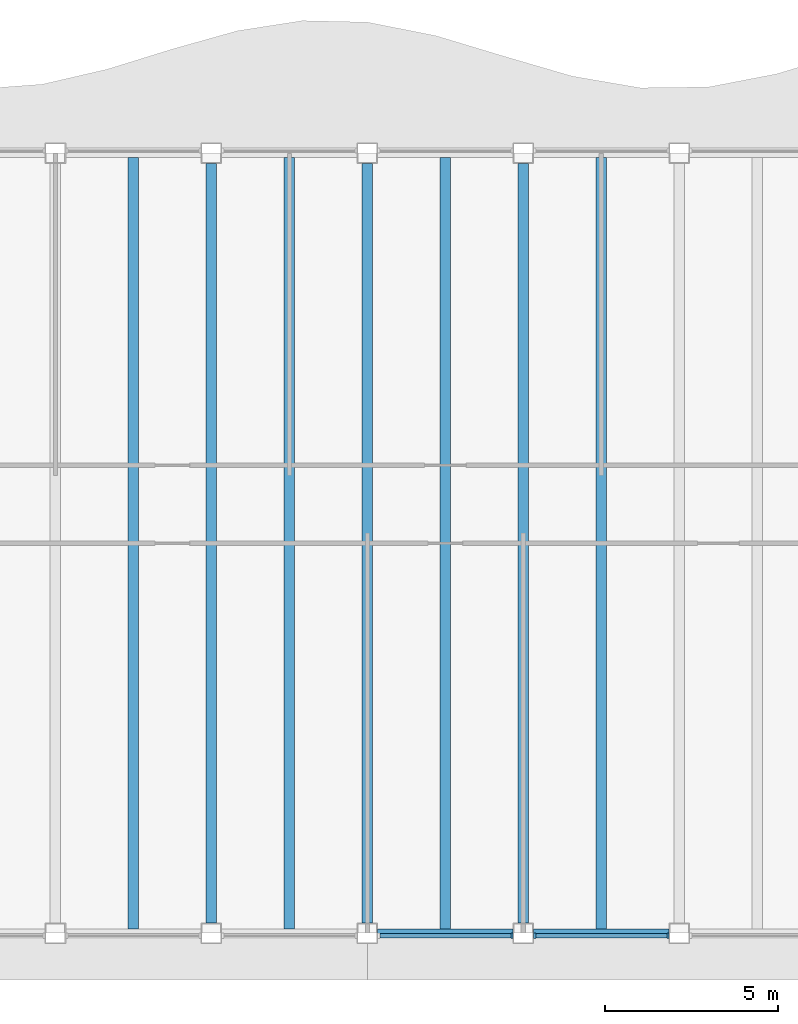
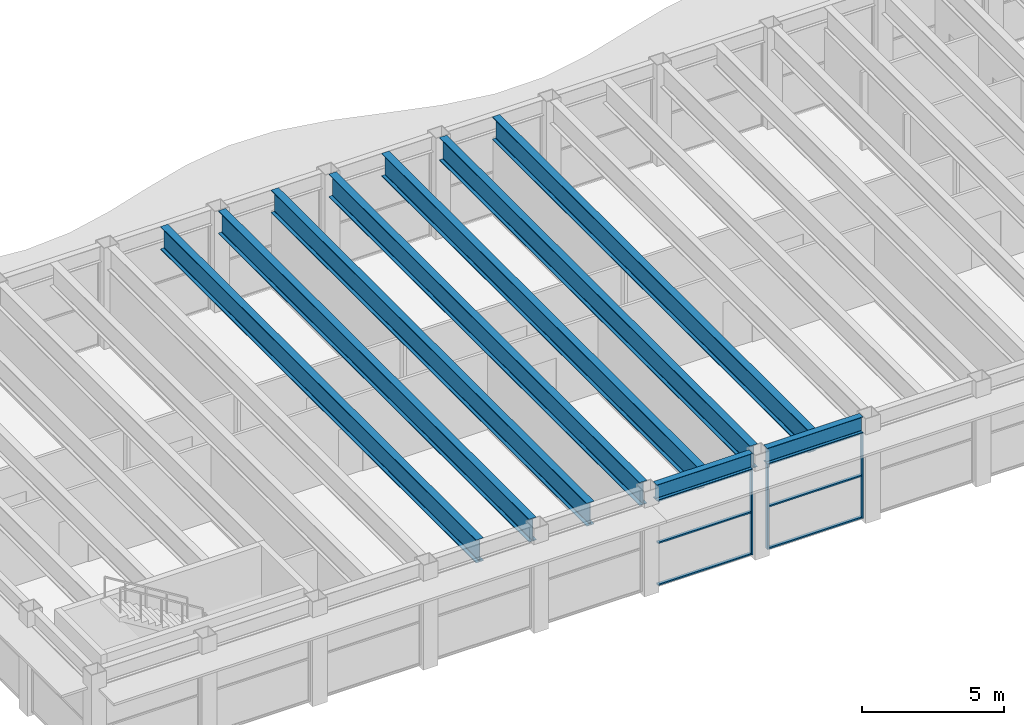
# One storey, part 3 of 15: 9 beams, 9 members, 2 elements without a shape of their own.
"""IFC4 building model written with IfcOpenShell, lengths in metres."""

from ifc_helpers import new_model, si_unit, direction, frame, origin, origin_2d, place, context, subcontext, project, spatial, rectangle, i_section, extrude, material, material_profile, profile_set, type_object, element, aggregate, save


model = new_model("IFC4")

# Units and contexts
model_context = context("Model", 3, precision=1e-05, world=origin(), true_north=direction((0.0, 1.0)))
body_context = subcontext(model_context, "Body", "Model", "MODEL_VIEW")
ifc_project = project(units=[si_unit("LENGTHUNIT", "METRE"), si_unit("AREAUNIT", "SQUARE_METRE"), si_unit("VOLUMEUNIT", "CUBIC_METRE"), si_unit("PLANEANGLEUNIT", "RADIAN"), si_unit("MASSUNIT", "GRAM", prefix="KILO")], contexts=[model_context])

# Site, building, storey
site_placement = place(None, origin())
site = spatial("IfcSite", under=ifc_project, at=site_placement, CompositionType="ELEMENT")
building_placement = place(site_placement, origin())
building = spatial("IfcBuilding", under=site, at=building_placement, Name="Sennacour Bend Tower", CompositionType="ELEMENT")
storey_placement = place(building_placement, frame((0.0, 0.0, 318.5)))
storey = spatial("IfcBuildingStorey", under=building, at=storey_placement, Name="L73", CompositionType="ELEMENT", Elevation=318.5)

# Curtain wall, member
ifc_material_1 = material(Name="Bronze anodised aluminium curtain wall with clear glass", Category="aluminium")
curtain_wall_type = type_object("IfcCurtainWallType", Name="CURTAIN WALL EXEC", PredefinedType="NOTDEFINED", material=ifc_material_1)
curtain_wall_1_placement = place(storey_placement, origin())
curtain_wall_1 = element("IfcCurtainWall", 1, at=curtain_wall_1_placement, inside=storey, type_object=curtain_wall_type, Name="Executive floor glass wall L73", PredefinedType="NOTDEFINED")
ifc_material_2 = material(Name="Aluminium 6063-T6", Category="aluminium")
ifc_material_profile_1 = material_profile(ifc_material_2, rectangle(XDim=0.14990234375, YDim=0.06005859375, at=origin_2d()), Name="Aluminium 6063-T6", Category="aluminium")
ifc_profile_set_1 = profile_set([ifc_material_profile_1], Name="Aluminium 6063-T6")
member_type_1 = type_object("IfcMemberType", Name="CW-MULLION-150X60", PredefinedType="MULLION", material=ifc_profile_set_1)
member_1_placement = place(storey_placement, frame((26.669921875, -0.074951171875, 0.0), z_axis=(0.0, 0.0, 1.0), x_axis=(0.0, 1.0, 0.0)))
member_1 = element("IfcMember", 2, at=member_1_placement, type_object=member_type_1, Name="GW3 curtain wall mullion 2", PredefinedType="MULLION", context=body_context, shape_type="SweptSolid", body=[
    extrude(rectangle(XDim=0.14990234375, YDim=0.06005859375, at=origin_2d()), origin(), (0.0, 0.0, 1.0), 3.672119140625),
])

# Curtain wall, members
curtain_wall_2_placement = place(storey_placement, origin())
curtain_wall_2 = element("IfcCurtainWall", 3, at=curtain_wall_2_placement, inside=storey, type_object=curtain_wall_type, Name="Executive floor glass wall L73", PredefinedType="NOTDEFINED")
member_2_placement = place(storey_placement, frame((27.330078125, -0.074951171875, 0.0), z_axis=(0.0, 0.0, 1.0), x_axis=(0.0, 1.0, 0.0)))
member_2 = element("IfcMember", 4, at=member_2_placement, type_object=member_type_1, Name="GW3 curtain wall mullion 1", PredefinedType="MULLION", context=body_context, shape_type="SweptSolid", body=[
    extrude(rectangle(XDim=0.14990234375, YDim=0.06005859375, at=origin_2d()), origin(), (0.0, 0.0, 1.0), 3.672119140625),
])
member_3_placement = place(storey_placement, frame((31.169921875, -0.074951171875, 0.0), z_axis=(0.0, 0.0, 1.0), x_axis=(0.0, 1.0, 0.0)))
member_3 = element("IfcMember", 5, at=member_3_placement, type_object=member_type_1, Name="GW3 curtain wall mullion 2", PredefinedType="MULLION", context=body_context, shape_type="SweptSolid", body=[
    extrude(rectangle(XDim=0.14990234375, YDim=0.06005859375, at=origin_2d()), origin(), (0.0, 0.0, 1.0), 3.672119140625),
])

# Member
ifc_material_profile_2 = material_profile(ifc_material_2, rectangle(XDim=0.1201171875, YDim=0.06005859375, at=origin_2d()), Name="Aluminium 6063-T6", Category="aluminium")
ifc_profile_set_2 = profile_set([ifc_material_profile_2], Name="Aluminium 6063-T6")
member_type_2 = type_object("IfcMemberType", Name="CW-TRANSOM-120X60", PredefinedType="USERDEFINED", material=ifc_profile_set_2)
member_4_placement = place(storey_placement, frame((22.860107421875, -0.074951171875, 0.030029296875), z_axis=(1.0, 0.0, 0.0), x_axis=(0.0, 1.0, 0.0)))
member_4 = element("IfcMember", 6, at=member_4_placement, type_object=member_type_2, Name="GW3 curtain wall transom 1.1", ObjectType="TRANSOM", PredefinedType="USERDEFINED", context=body_context, shape_type="SweptSolid", body=[
    extrude(rectangle(XDim=0.1201171875, YDim=0.06005859375, at=origin_2d()), origin(), (0.0, 0.0, 1.0), 3.77978515625),
])

member_5_placement = place(storey_placement, frame((22.860107421875, -0.074951171875, 1.8359375), z_axis=(1.0, 0.0, 0.0), x_axis=(0.0, 1.0, 0.0)))
member_5 = element("IfcMember", 7, at=member_5_placement, type_object=member_type_2, Name="GW3 curtain wall transom 1.2", ObjectType="TRANSOM", PredefinedType="USERDEFINED", context=body_context, shape_type="SweptSolid", body=[
    extrude(rectangle(XDim=0.1201171875, YDim=0.06005859375, at=origin_2d()), origin(), (0.0, 0.0, 1.0), 3.77978515625),
])

member_6_placement = place(storey_placement, frame((22.860107421875, -0.074951171875, 3.64208984375), z_axis=(1.0, 0.0, 0.0), x_axis=(0.0, 1.0, 0.0)))
member_6 = element("IfcMember", 8, at=member_6_placement, type_object=member_type_2, Name="GW3 curtain wall transom 1.3", ObjectType="TRANSOM", PredefinedType="USERDEFINED", context=body_context, shape_type="SweptSolid", body=[
    extrude(rectangle(XDim=0.1201171875, YDim=0.06005859375, at=origin_2d()), origin(), (0.0, 0.0, 1.0), 3.77978515625),
])

aggregate(curtain_wall_1, [member_1, member_4, member_5, member_6])

member_7_placement = place(storey_placement, frame((27.360107421875, -0.074951171875, 0.030029296875), z_axis=(1.0, 0.0, 0.0), x_axis=(0.0, 1.0, 0.0)))
member_7 = element("IfcMember", 9, at=member_7_placement, type_object=member_type_2, Name="GW3 curtain wall transom 1.1", ObjectType="TRANSOM", PredefinedType="USERDEFINED", context=body_context, shape_type="SweptSolid", body=[
    extrude(rectangle(XDim=0.1201171875, YDim=0.06005859375, at=origin_2d()), origin(), (0.0, 0.0, 1.0), 3.77978515625),
])

member_8_placement = place(storey_placement, frame((27.360107421875, -0.074951171875, 1.8359375), z_axis=(1.0, 0.0, 0.0), x_axis=(0.0, 1.0, 0.0)))
member_8 = element("IfcMember", 10, at=member_8_placement, type_object=member_type_2, Name="GW3 curtain wall transom 1.2", ObjectType="TRANSOM", PredefinedType="USERDEFINED", context=body_context, shape_type="SweptSolid", body=[
    extrude(rectangle(XDim=0.1201171875, YDim=0.06005859375, at=origin_2d()), origin(), (0.0, 0.0, 1.0), 3.77978515625),
])

member_9_placement = place(storey_placement, frame((27.360107421875, -0.074951171875, 3.64208984375), z_axis=(1.0, 0.0, 0.0), x_axis=(0.0, 1.0, 0.0)))
member_9 = element("IfcMember", 11, at=member_9_placement, type_object=member_type_2, Name="GW3 curtain wall transom 1.3", ObjectType="TRANSOM", PredefinedType="USERDEFINED", context=body_context, shape_type="SweptSolid", body=[
    extrude(rectangle(XDim=0.1201171875, YDim=0.06005859375, at=origin_2d()), origin(), (0.0, 0.0, 1.0), 3.77978515625),
])

aggregate(curtain_wall_2, [member_2, member_3, member_7, member_8, member_9])

# Beams
ifc_material_3 = material(Name="Steel ASTM A992 Grade 50", Category="steel")
ifc_material_profile_3 = material_profile(ifc_material_3, i_section(OverallWidth=0.300048828125, OverallDepth=0.990966796875, WebThickness=0.0166015625, FlangeThickness=0.030517578125, FilletRadius=0.030029296875, at=origin_2d()), Name="Steel ASTM A992 Grade 50", Category="steel")
ifc_profile_set_3 = profile_set([ifc_material_profile_3], Name="Steel ASTM A992 Grade 50")
beam_type_1 = type_object("IfcBeamType", Name="Floor beam W1000X272", PredefinedType="BEAM", material=ifc_profile_set_3)
beam_1_placement = place(storey_placement, frame((15.75, 0.126953125, 3.8544921875), z_axis=(0.0, 1.0, 0.0), x_axis=(-1.0, 0.0, 0.0)))
element("IfcBeam", 12, at=beam_1_placement, inside=storey, type_object=beam_type_1, Name="Floor beam FBM3 L74-007", PredefinedType="BEAM", context=body_context, shape_type="SweptSolid", body=[
    extrude(i_section(OverallWidth=0.300048828125, OverallDepth=0.990966796875, WebThickness=0.0166015625, FlangeThickness=0.030517578125, FilletRadius=0.030029296875, at=origin_2d()), origin(), (0.0, 0.0, 1.0), 22.24609375),
])
beam_2_placement = place(storey_placement, frame((18.0, 0.300048828125, 3.8544921875), z_axis=(0.0, 1.0, 0.0), x_axis=(-1.0, 0.0, 0.0)))
element("IfcBeam", 13, at=beam_2_placement, inside=storey, type_object=beam_type_1, Name="Floor beam FBM3 L74-008", PredefinedType="BEAM", context=body_context, shape_type="SweptSolid", body=[
    extrude(i_section(OverallWidth=0.300048828125, OverallDepth=0.990966796875, WebThickness=0.0166015625, FlangeThickness=0.030517578125, FilletRadius=0.030029296875, at=origin_2d()), origin(), (0.0, 0.0, 1.0), 21.89990234375),
])
beam_3_placement = place(storey_placement, frame((20.25, 0.126953125, 3.8544921875), z_axis=(0.0, 1.0, 0.0), x_axis=(-1.0, 0.0, 0.0)))
element("IfcBeam", 14, at=beam_3_placement, inside=storey, type_object=beam_type_1, Name="Floor beam FBM3 L74-009", PredefinedType="BEAM", context=body_context, shape_type="SweptSolid", body=[
    extrude(i_section(OverallWidth=0.300048828125, OverallDepth=0.990966796875, WebThickness=0.0166015625, FlangeThickness=0.030517578125, FilletRadius=0.030029296875, at=origin_2d()), origin(), (0.0, 0.0, 1.0), 22.24609375),
])
beam_4_placement = place(storey_placement, frame((22.5, 0.300048828125, 3.8544921875), z_axis=(0.0, 1.0, 0.0), x_axis=(-1.0, 0.0, 0.0)))
element("IfcBeam", 15, at=beam_4_placement, inside=storey, type_object=beam_type_1, Name="Floor beam FBM3 L74-010", PredefinedType="BEAM", context=body_context, shape_type="SweptSolid", body=[
    extrude(i_section(OverallWidth=0.300048828125, OverallDepth=0.990966796875, WebThickness=0.0166015625, FlangeThickness=0.030517578125, FilletRadius=0.030029296875, at=origin_2d()), origin(), (0.0, 0.0, 1.0), 21.89990234375),
])
beam_5_placement = place(storey_placement, frame((24.75, 0.126953125, 3.8544921875), z_axis=(0.0, 1.0, 0.0), x_axis=(-1.0, 0.0, 0.0)))
element("IfcBeam", 16, at=beam_5_placement, inside=storey, type_object=beam_type_1, Name="Floor beam FBM3 L74-011", PredefinedType="BEAM", context=body_context, shape_type="SweptSolid", body=[
    extrude(i_section(OverallWidth=0.300048828125, OverallDepth=0.990966796875, WebThickness=0.0166015625, FlangeThickness=0.030517578125, FilletRadius=0.030029296875, at=origin_2d()), origin(), (0.0, 0.0, 1.0), 22.24609375),
])
beam_6_placement = place(storey_placement, frame((27.0, 0.300048828125, 3.8544921875), z_axis=(0.0, 1.0, 0.0), x_axis=(-1.0, 0.0, 0.0)))
element("IfcBeam", 17, at=beam_6_placement, inside=storey, type_object=beam_type_1, Name="Floor beam FBM3 L74-012", PredefinedType="BEAM", context=body_context, shape_type="SweptSolid", body=[
    extrude(i_section(OverallWidth=0.300048828125, OverallDepth=0.990966796875, WebThickness=0.0166015625, FlangeThickness=0.030517578125, FilletRadius=0.030029296875, at=origin_2d()), origin(), (0.0, 0.0, 1.0), 21.89990234375),
])
beam_7_placement = place(storey_placement, frame((29.25, 0.126953125, 3.8544921875), z_axis=(0.0, 1.0, 0.0), x_axis=(-1.0, 0.0, 0.0)))
element("IfcBeam", 18, at=beam_7_placement, inside=storey, type_object=beam_type_1, Name="Floor beam FBM3 L74-013", PredefinedType="BEAM", context=body_context, shape_type="SweptSolid", body=[
    extrude(i_section(OverallWidth=0.300048828125, OverallDepth=0.990966796875, WebThickness=0.0166015625, FlangeThickness=0.030517578125, FilletRadius=0.030029296875, at=origin_2d()), origin(), (0.0, 0.0, 1.0), 22.24609375),
])
ifc_material_profile_4 = material_profile(ifc_material_3, i_section(OverallWidth=0.25390625, OverallDepth=0.677978515625, WebThickness=0.01171875, FlangeThickness=0.016357421875, FilletRadius=0.01513671875, at=origin_2d()), Name="Steel ASTM A992 Grade 50", Category="steel")
ifc_profile_set_4 = profile_set([ifc_material_profile_4], Name="Steel ASTM A992 Grade 50")
beam_type_2 = type_object("IfcBeamType", Name="Spandrel beam W690X125", PredefinedType="SPANDREL", material=ifc_profile_set_4)
for number, where, z_axis, x_axis, name in (
    (19, (31.199951171875, 0.0, 4.010986328125), (-1.0, 0.0, 0.0), (0.0, -1.0, 0.0), "Spandrel beam SP7 L74-023"),
    (20, (26.699951171875, 0.0, 4.010986328125), (-1.0, 0.0, 0.0), (0.0, -1.0, 0.0), "Spandrel beam SP7 L74-024"),
):
    element("IfcBeam", number, at=place(storey_placement, frame(where, z_axis=z_axis, x_axis=x_axis)), inside=storey, type_object=beam_type_2, Name=name, PredefinedType="SPANDREL", context=body_context, shape_type="SweptSolid", body=[
        extrude(i_section(OverallWidth=0.25390625, OverallDepth=0.677978515625, WebThickness=0.01171875, FlangeThickness=0.016357421875, FilletRadius=0.01513671875, at=origin_2d()), origin(), (0.0, 0.0, 1.0), 3.89990234375),
    ])

save(model, "model.ifc")
